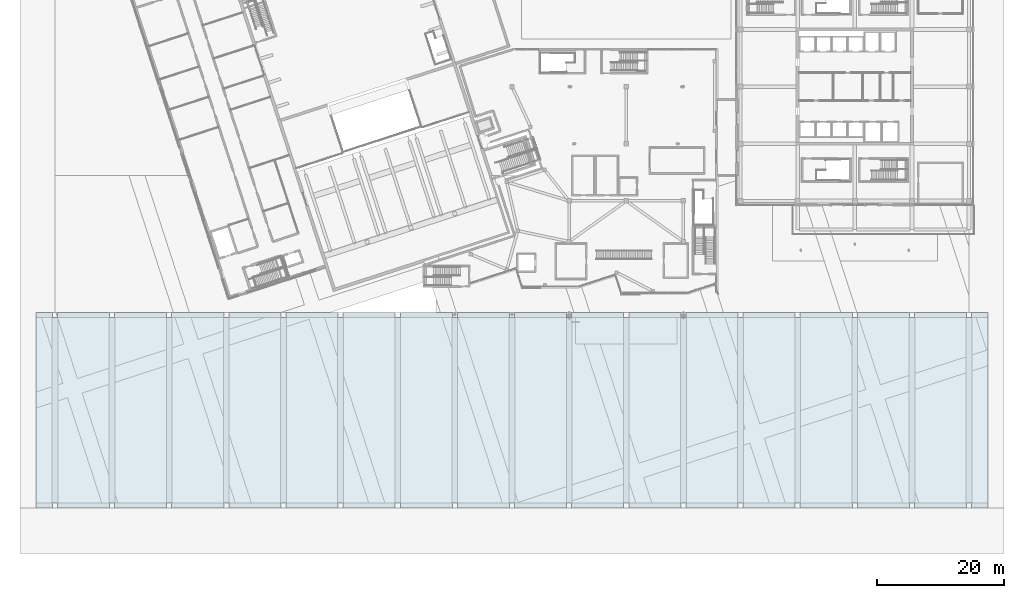
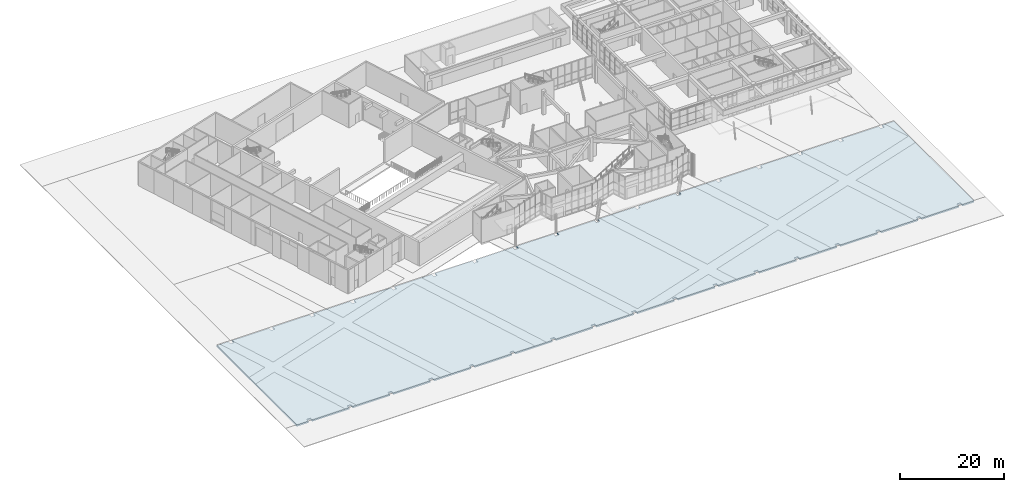
# One storey, part 43 of 72: 1 slab.
"""IFC4 building model written with IfcOpenShell, lengths in metres."""

from ifc_helpers import new_model, si_unit, direction, frame, origin, place, context, subcontext, project, spatial, polyline, outline, extrude, material, layer, layer_set, type_object, element, save


model = new_model("IFC4")

# Units and contexts
model_context = context("Model", 3, precision=1e-05, world=origin(), true_north=direction((0.0, 1.0)))
body_context = subcontext(model_context, "Body", "Model", "MODEL_VIEW")
ifc_project = project(units=[si_unit("LENGTHUNIT", "METRE"), si_unit("AREAUNIT", "SQUARE_METRE"), si_unit("VOLUMEUNIT", "CUBIC_METRE"), si_unit("PLANEANGLEUNIT", "RADIAN"), si_unit("MASSUNIT", "GRAM", prefix="KILO")], contexts=[model_context])

# Site, building, storey
site_placement = place(None, origin())
site = spatial("IfcSite", under=ifc_project, at=site_placement, CompositionType="ELEMENT")
building_placement = place(site_placement, origin())
building = spatial("IfcBuilding", under=site, at=building_placement, Name="Tuart Plaza Theatre", CompositionType="ELEMENT")
storey_placement = place(building_placement, origin())
storey = spatial("IfcBuildingStorey", under=building, at=storey_placement, Name="L00", CompositionType="ELEMENT", Elevation=0.0)

# Slab
ifc_material = material(Name="Concrete N40 (40 MPa)", Category="concrete")
ifc_layer = layer(ifc_material, 0.300048828125)
ifc_layer_set = layer_set([ifc_layer], Name="SLAB Floor 300 Concrete N40 (40 MPa)")
slab_type = type_object("IfcSlabType", Name="SLAB Floor 300 Concrete N40 (40 MPa)", PredefinedType="FLOOR", material=ifc_layer_set)
slab_placement = place(storey_placement, frame((0.0, 0.0, -0.449951171875)))
element("IfcSlab", 1, at=slab_placement, inside=storey, type_object=slab_type, Name="S107", PredefinedType="FLOOR", context=body_context, shape_type="SweptSolid", body=[
    extrude(outline(polyline([(5.60009765625, 7.60009765625), (5.60009765625, 8.39990234375), (6.39990234375, 8.39990234375), (6.39990234375, 7.60009765625), (14.60009765625, 7.60009765625), (14.60009765625, 8.39990234375), (15.39990234375, 8.39990234375), (15.39990234375, 7.60009765625), (23.60009765625, 7.60009765625), (23.60009765625, 8.39990234375), (24.39990234375, 8.39990234375), (24.39990234375, 7.60009765625), (32.60009765625, 7.60009765625), (32.60009765625, 8.39990234375), (33.39990234375, 8.39990234375), (33.39990234375, 7.60009765625), (41.60009765625, 7.60009765625), (41.60009765625, 8.39990234375), (42.39990234375, 8.39990234375), (42.39990234375, 7.60009765625), (50.60009765625, 7.60009765625), (50.60009765625, 8.39990234375), (51.39990234375, 8.39990234375), (51.39990234375, 7.60009765625), (59.60009765625, 7.60009765625), (59.60009765625, 8.39990234375), (60.39990234375, 8.39990234375), (60.39990234375, 7.60009765625), (68.60009765625, 7.60009765625), (68.60009765625, 8.39990234375), (69.39990234375, 8.39990234375), (69.39990234375, 7.60009765625), (77.60009765625, 7.60009765625), (77.60009765625, 8.39990234375), (78.39990234375, 8.39990234375), (78.39990234375, 7.60009765625), (86.60009765625, 7.60009765625), (86.60009765625, 8.39990234375), (87.39990234375, 8.39990234375), (87.39990234375, 7.60009765625), (95.60009765625, 7.60009765625), (95.60009765625, 8.39990234375), (96.39990234375, 8.39990234375), (96.39990234375, 7.60009765625), (104.60009765625, 7.60009765625), (104.60009765625, 8.39990234375), (105.39990234375, 8.39990234375), (105.39990234375, 7.60009765625), (113.60009765625, 7.60009765625), (113.60009765625, 8.39990234375), (114.39990234375, 8.39990234375), (114.39990234375, 7.60009765625), (122.60009765625, 7.60009765625), (122.60009765625, 8.39990234375), (123.39990234375, 8.39990234375), (123.39990234375, 7.60009765625), (131.60009765625, 7.60009765625), (131.60009765625, 8.39990234375), (132.39990234375, 8.39990234375), (132.39990234375, 7.60009765625), (140.60009765625, 7.60009765625), (140.60009765625, 8.39990234375), (141.39990234375, 8.39990234375), (141.39990234375, 7.60009765625), (149.60009765625, 7.60009765625), (149.60009765625, 8.39990234375), (150.39990234375, 8.39990234375), (150.39990234375, 7.60009765625), (153.0, 7.60009765625), (153.0, 38.39990234375), (150.39990234375, 38.39990234375), (150.39990234375, 37.60009765625), (149.60009765625, 37.60009765625), (149.60009765625, 38.39990234375), (141.39990234375, 38.39990234375), (141.39990234375, 37.60009765625), (140.60009765625, 37.60009765625), (140.60009765625, 38.39990234375), (132.39990234375, 38.39990234375), (132.39990234375, 37.60009765625), (131.60009765625, 37.60009765625), (131.60009765625, 38.39990234375), (123.39990234375, 38.39990234375), (123.39990234375, 37.60009765625), (122.60009765625, 37.60009765625), (122.60009765625, 38.39990234375), (114.39990234375, 38.39990234375), (114.39990234375, 37.60009765625), (113.60009765625, 37.60009765625), (113.60009765625, 38.39990234375), (105.39990234375, 38.39990234375), (105.39990234375, 37.60009765625), (104.60009765625, 37.60009765625), (104.60009765625, 38.39990234375), (96.39990234375, 38.39990234375), (96.39990234375, 37.60009765625), (95.60009765625, 37.60009765625), (95.60009765625, 38.39990234375), (87.39990234375, 38.39990234375), (87.39990234375, 37.60009765625), (86.60009765625, 37.60009765625), (86.60009765625, 38.39990234375), (78.39990234375, 38.39990234375), (78.39990234375, 37.60009765625), (77.60009765625, 37.60009765625), (77.60009765625, 38.39990234375), (69.39990234375, 38.39990234375), (69.39990234375, 37.60009765625), (68.60009765625, 37.60009765625), (68.60009765625, 38.39990234375), (60.39990234375, 38.39990234375), (60.39990234375, 37.60009765625), (59.60009765625, 37.60009765625), (59.60009765625, 38.39990234375), (51.39990234375, 38.39990234375), (51.39990234375, 37.60009765625), (50.60009765625, 37.60009765625), (50.60009765625, 38.39990234375), (42.39990234375, 38.39990234375), (42.39990234375, 37.60009765625), (41.60009765625, 37.60009765625), (41.60009765625, 38.39990234375), (33.39990234375, 38.39990234375), (33.39990234375, 37.60009765625), (32.60009765625, 37.60009765625), (32.60009765625, 38.39990234375), (24.39990234375, 38.39990234375), (24.39990234375, 37.60009765625), (23.60009765625, 37.60009765625), (23.60009765625, 38.39990234375), (15.39990234375, 38.39990234375), (15.39990234375, 37.60009765625), (14.60009765625, 37.60009765625), (14.60009765625, 38.39990234375), (6.39990234375, 38.39990234375), (6.39990234375, 37.60009765625), (5.60009765625, 37.60009765625), (5.60009765625, 38.39990234375), (3.0, 38.39990234375), (3.0, 7.60009765625), (5.60009765625, 7.60009765625)])), origin(), (0.0, 0.0, 1.0), 0.300048828125),
])

save(model, "model.ifc")
